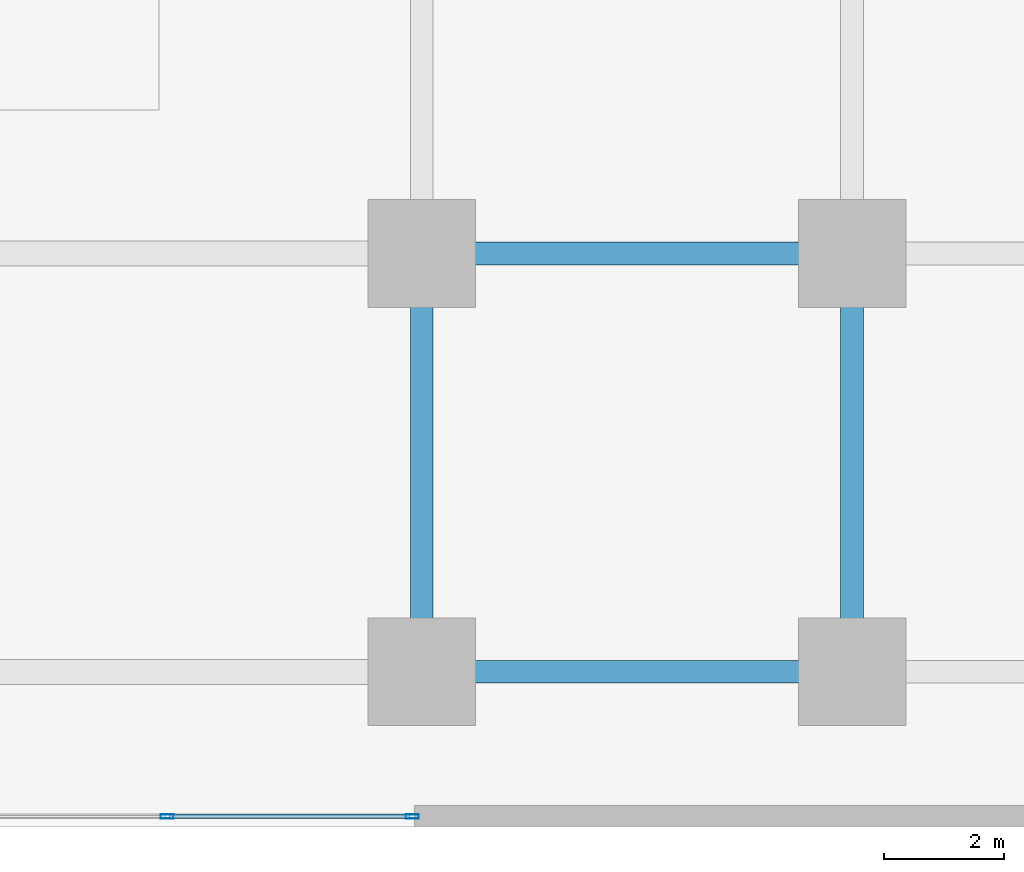
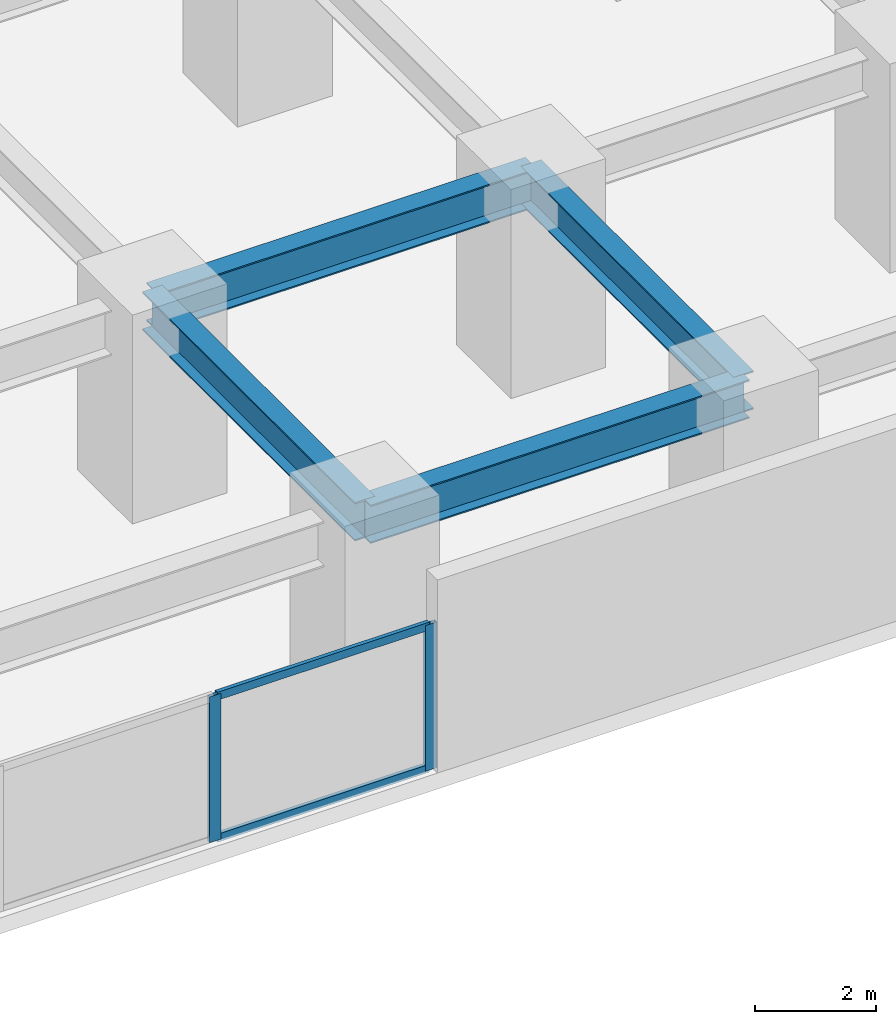
# One storey, part 4 of 22: 4 beams, 4 members, 1 element without a shape of its own.
"""IFC4 building model written with IfcOpenShell, lengths in metres."""

from ifc_helpers import new_model, si_unit, direction, frame, origin, origin_2d, place, context, subcontext, project, spatial, hollow_rectangle, i_section, extrude, material, layer, layer_set, material_profile, profile_set, type_object, element, aggregate, save


model = new_model("IFC4")

# Units and contexts
model_context = context("Model", 3, precision=1e-05, world=origin(), true_north=direction((0.0, 1.0)))
body_context = subcontext(model_context, "Body", "Model", "MODEL_VIEW")
ifc_project = project(units=[si_unit("LENGTHUNIT", "METRE"), si_unit("AREAUNIT", "SQUARE_METRE"), si_unit("VOLUMEUNIT", "CUBIC_METRE"), si_unit("PLANEANGLEUNIT", "RADIAN"), si_unit("MASSUNIT", "GRAM", prefix="KILO")], contexts=[model_context])

# Site, building, storey
site_placement = place(None, origin())
site = spatial("IfcSite", under=ifc_project, at=site_placement, CompositionType="ELEMENT")
building_placement = place(site_placement, origin())
building = spatial("IfcBuilding", under=site, at=building_placement, Name="Kiyonajd Concourse Tower", CompositionType="ELEMENT")
storey_placement = place(building_placement, frame((0.0, 0.0, 4.5)))
storey = spatial("IfcBuildingStorey", under=building, at=storey_placement, Name="L02", CompositionType="ELEMENT", Elevation=4.5)

# Beams
ifc_material_1 = material(Name="Steel ASTM A992 Grade 50", Category="steel")
ifc_material_profile_1 = material_profile(ifc_material_1, i_section(OverallWidth=0.381103515625, OverallDepth=0.77294921875, WebThickness=0.0166015625, FlangeThickness=0.027099609375, at=origin_2d()), Name="W760X257")
ifc_profile_set_1 = profile_set([ifc_material_profile_1], Name="Steel ASTM A992 Grade 50")
beam_type = type_object("IfcBeamType", Name="BM-POD-760", PredefinedType="BEAM", material=ifc_profile_set_1)
for number, where, z_axis, x_axis, name in (
    (1, (56.39990234375, 2.60009765625, 3.493408203125), (1.0, 0.0, 0.0), (0.0, 1.0, 0.0), "L02 Podium Primary Beam"),
    (2, (56.39990234375, 9.60009765625, 3.493408203125), (1.0, 0.0, 0.0), (0.0, 1.0, 0.0), "L02 Podium Primary Beam"),
):
    element("IfcBeam", number, at=place(storey_placement, frame(where, z_axis=z_axis, x_axis=x_axis)), inside=storey, type_object=beam_type, Name=name, PredefinedType="BEAM", context=body_context, shape_type="SweptSolid", body=[
        extrude(i_section(OverallWidth=0.381103515625, OverallDepth=0.77294921875, WebThickness=0.0166015625, FlangeThickness=0.027099609375, at=origin_2d()), origin(), (0.0, 0.0, 1.0), 7.2001953125),
    ])
for number, where, z_axis, x_axis, name in (
    (3, (56.39990234375, 2.60009765625, 3.493408203125), (0.0, 1.0, 0.0), (-1.0, 0.0, 0.0), "L02 Podium North South Beam"),
    (4, (63.60009765625, 2.60009765625, 3.493408203125), (0.0, 1.0, 0.0), (-1.0, 0.0, 0.0), "L02 Podium North South Beam"),
):
    element("IfcBeam", number, at=place(storey_placement, frame(where, z_axis=z_axis, x_axis=x_axis)), inside=storey, type_object=beam_type, Name=name, PredefinedType="BEAM", context=body_context, shape_type="SweptSolid", body=[
        extrude(i_section(OverallWidth=0.381103515625, OverallDepth=0.77294921875, WebThickness=0.0166015625, FlangeThickness=0.027099609375, at=origin_2d()), origin(), (0.0, 0.0, 1.0), 7.0),
    ])

# Curtain wall, members
ifc_material_2 = material(Name="Thermally Broken Anodised Aluminium", Category="aluminium")
ifc_layer = layer(ifc_material_2, 0.179931640625)
ifc_layer_set = layer_set([ifc_layer], Name="Thermally Broken Anodised Aluminium")
curtain_wall_type = type_object("IfcCurtainWallType", Name="CW-SYS-01", PredefinedType="NOTDEFINED", material=ifc_layer_set)
curtain_wall_placement = place(storey_placement, origin())
curtain_wall = element("IfcCurtainWall", 5, at=curtain_wall_placement, inside=storey, type_object=curtain_wall_type, Name="L02 Unitised Curtain Wall CW1", PredefinedType="NOTDEFINED")
ifc_material_profile_2 = material_profile(ifc_material_2, hollow_rectangle(XDim=0.074951171875, YDim=0.219970703125, WallThickness=0.0048828125, at=origin_2d()), Name="MULL-75x220")
ifc_profile_set_2 = profile_set([ifc_material_profile_2], Name="Thermally Broken Anodised Aluminium")
member_type_1 = type_object("IfcMemberType", Name="MB-CW-MULL2", PredefinedType="MULLION", material=ifc_profile_set_2)
member_1_placement = place(storey_placement, frame((56.242431640625, 0.179931640625, 0.0), z_axis=(0.0, 0.0, 1.0), x_axis=(0.0, -1.0, 0.0)))
member_1 = element("IfcMember", 6, at=member_1_placement, type_object=member_type_1, Name="CW1 mullion 1", PredefinedType="MULLION", context=body_context, shape_type="SweptSolid", body=[
    extrude(hollow_rectangle(XDim=0.074951171875, YDim=0.219970703125, WallThickness=0.0048828125, at=origin_2d()), origin(), (0.0, 0.0, 1.0), 2.929931640625),
])
member_2_placement = place(storey_placement, frame((52.139892578125, 0.179931640625, 0.0), z_axis=(0.0, 0.0, 1.0), x_axis=(0.0, -1.0, 0.0)))
member_2 = element("IfcMember", 7, at=member_2_placement, type_object=member_type_1, Name="CW1 mullion 2", PredefinedType="MULLION", context=body_context, shape_type="SweptSolid", body=[
    extrude(hollow_rectangle(XDim=0.074951171875, YDim=0.219970703125, WallThickness=0.0048828125, at=origin_2d()), origin(), (0.0, 0.0, 1.0), 2.929931640625),
])
ifc_material_profile_3 = material_profile(ifc_material_2, hollow_rectangle(XDim=0.074951171875, YDim=0.159912109375, WallThickness=0.0048828125, at=origin_2d()), Name="TRAN-75x160")
ifc_profile_set_3 = profile_set([ifc_material_profile_3], Name="Thermally Broken Anodised Aluminium")
member_type_2 = type_object("IfcMemberType", Name="MB-CW-TRAN2", PredefinedType="USERDEFINED", material=ifc_profile_set_3)
member_3_placement = place(storey_placement, frame((56.205078125, 0.179931640625, 0.03759765625), z_axis=(-1.0, 0.0, 0.0), x_axis=(0.0, -1.0, 0.0)))
member_3 = element("IfcMember", 8, at=member_3_placement, type_object=member_type_2, Name="CW1 transom 1.1", ObjectType="TRANSOM", PredefinedType="USERDEFINED", context=body_context, shape_type="SweptSolid", body=[
    extrude(hollow_rectangle(XDim=0.074951171875, YDim=0.159912109375, WallThickness=0.0048828125, at=origin_2d()), origin(), (0.0, 0.0, 1.0), 4.027587890625),
])
member_4_placement = place(storey_placement, frame((56.205078125, 0.179931640625, 2.892578125), z_axis=(-1.0, 0.0, 0.0), x_axis=(0.0, -1.0, 0.0)))
member_4 = element("IfcMember", 9, at=member_4_placement, type_object=member_type_2, Name="CW1 transom 1.2", ObjectType="TRANSOM", PredefinedType="USERDEFINED", context=body_context, shape_type="SweptSolid", body=[
    extrude(hollow_rectangle(XDim=0.074951171875, YDim=0.159912109375, WallThickness=0.0048828125, at=origin_2d()), origin(), (0.0, 0.0, 1.0), 4.027587890625),
])
aggregate(curtain_wall, [member_1, member_2, member_3, member_4])

save(model, "model.ifc")
